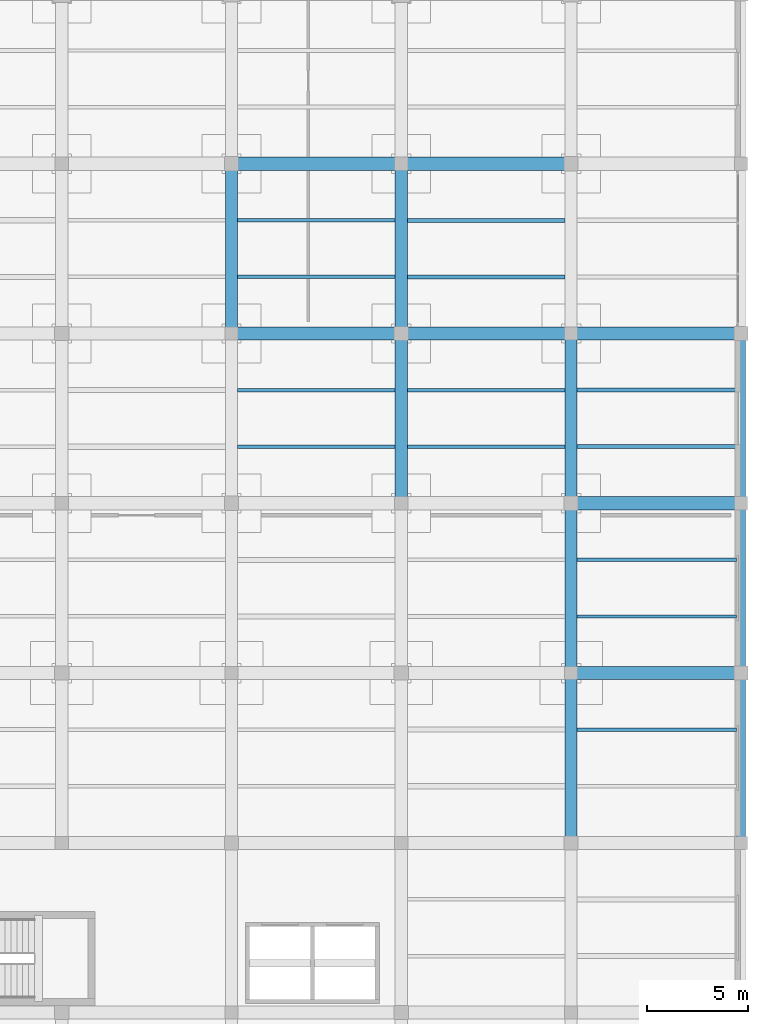
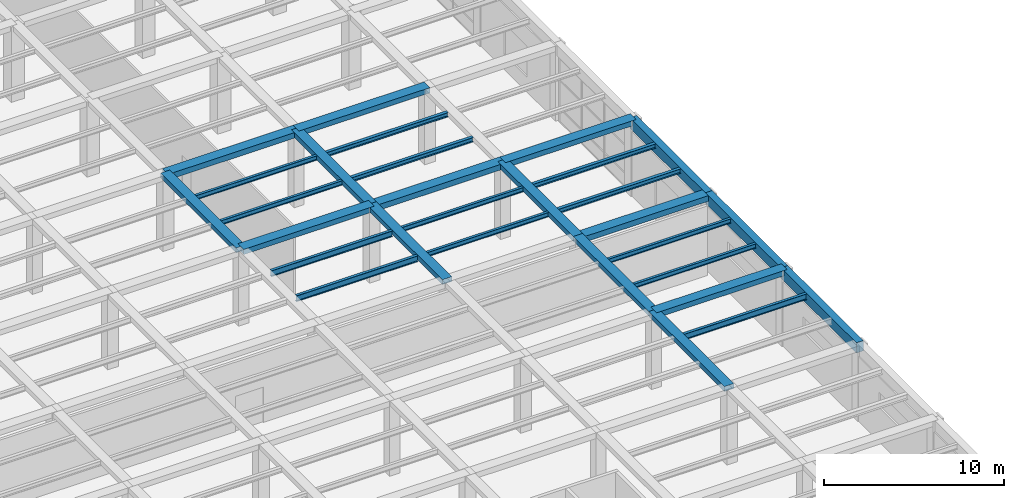
# One storey, part 31 of 65: 29 beams.
"""IFC4 building model written with IfcOpenShell, lengths in metres."""

from ifc_helpers import new_model, si_unit, direction, frame, origin, origin_2d, place, context, subcontext, project, spatial, rectangle, i_section, extrude, material, material_profile, profile_set, type_object, element, save


model = new_model("IFC4")

# Units and contexts
model_context = context("Model", 3, precision=1e-05, world=origin(), true_north=direction((0.0, 1.0)))
body_context = subcontext(model_context, "Body", "Model", "MODEL_VIEW")
ifc_project = project(units=[si_unit("LENGTHUNIT", "METRE"), si_unit("AREAUNIT", "SQUARE_METRE"), si_unit("VOLUMEUNIT", "CUBIC_METRE"), si_unit("PLANEANGLEUNIT", "RADIAN"), si_unit("MASSUNIT", "GRAM", prefix="KILO")], contexts=[model_context])

# Site, building, storey
site_placement = place(None, origin())
site = spatial("IfcSite", under=ifc_project, at=site_placement, CompositionType="ELEMENT")
building_placement = place(site_placement, origin())
building = spatial("IfcBuilding", under=site, at=building_placement, Name="Almacenes y Pasaje Nevantli", CompositionType="ELEMENT")
storey_placement = place(building_placement, frame((0.0, 0.0, 16.800048828125)))
storey = spatial("IfcBuildingStorey", under=building, at=storey_placement, Name="L04", CompositionType="ELEMENT", Elevation=16.800048828125)

# Beams
ifc_material_1 = material(Name="Concrete C35/45", Category="concrete")
ifc_material_profile_1 = material_profile(ifc_material_1, rectangle(XDim=0.449951171875, YDim=0.699951171875, at=origin_2d()), Name="RC-BM-450x700")
ifc_profile_set_1 = profile_set([ifc_material_profile_1], Name="Concrete C35/45")
beam_type_1 = type_object("IfcBeamType", Name="BM-RC-450x700", PredefinedType="SPANDREL", material=ifc_profile_set_1)
beam_1_placement = place(storey_placement, frame((168.0, 25.199951171875, 4.75), z_axis=(0.0, 1.0, 0.0), x_axis=(-1.0, 0.0, 0.0)))
element("IfcBeam", 1, at=beam_1_placement, inside=storey, type_object=beam_type_1, Name="L04 North-South Reinforced Concrete Beam #3218", PredefinedType="SPANDREL", context=body_context, shape_type="SweptSolid", body=[
    extrude(rectangle(XDim=0.449951171875, YDim=0.699951171875, at=origin_2d()), origin(), (0.0, 0.0, 1.0), 8.400146484375),
])
for number, where, z_axis, x_axis, name in (
    (2, (168.0, 33.60009765625, 4.75), (0.0, 1.0, 0.0), (-1.0, 0.0, 0.0), "L04 North-South Reinforced Concrete Beam #3219"),
    (3, (168.0, 42.0, 4.75), (0.0, 1.0, 0.0), (-1.0, 0.0, 0.0), "L04 North-South Reinforced Concrete Beam #3220"),
):
    element("IfcBeam", number, at=place(storey_placement, frame(where, z_axis=z_axis, x_axis=x_axis)), inside=storey, type_object=beam_type_1, Name=name, PredefinedType="SPANDREL", context=body_context, shape_type="SweptSolid", body=[
        extrude(rectangle(XDim=0.449951171875, YDim=0.699951171875, at=origin_2d()), origin(), (0.0, 0.0, 1.0), 8.39990234375),
    ])
ifc_material_2 = material(Name="Concrete C35/45", Category="concrete")
ifc_material_profile_2 = material_profile(ifc_material_2, rectangle(XDim=0.60009765625, YDim=0.320068359375, at=origin_2d()), Name="RC-BM-600x320")
ifc_profile_set_2 = profile_set([ifc_material_profile_2], Name="Concrete C35/45")
beam_type_2 = type_object("IfcBeamType", Name="BM-RC-600x320", PredefinedType="BEAM", material=ifc_profile_set_2)
beam_2_placement = place(storey_placement, frame((142.800048828125, 50.39990234375, 4.93994140625), z_axis=(0.0, 1.0, 0.0), x_axis=(-1.0, 0.0, 0.0)))
element("IfcBeam", 4, at=beam_2_placement, inside=storey, type_object=beam_type_2, Name="L04 North-South Reinforced Concrete Beam #3180", PredefinedType="BEAM", context=body_context, shape_type="SweptSolid", body=[
    extrude(rectangle(XDim=0.60009765625, YDim=0.320068359375, at=origin_2d()), origin(), (0.0, 0.0, 1.0), 8.400146484375),
])
for number, where, z_axis, x_axis, name in (
    (5, (151.199951171875, 42.0, 4.93994140625), (0.0, 1.0, 0.0), (-1.0, 0.0, 0.0), "L04 North-South Reinforced Concrete Beam #3193"),
    (6, (159.60009765625, 33.60009765625, 4.93994140625), (0.0, 1.0, 0.0), (-1.0, 0.0, 0.0), "L04 North-South Reinforced Concrete Beam #3205"),
):
    element("IfcBeam", number, at=place(storey_placement, frame(where, z_axis=z_axis, x_axis=x_axis)), inside=storey, type_object=beam_type_2, Name=name, PredefinedType="BEAM", context=body_context, shape_type="SweptSolid", body=[
        extrude(rectangle(XDim=0.60009765625, YDim=0.320068359375, at=origin_2d()), origin(), (0.0, 0.0, 1.0), 8.39990234375),
    ])
ifc_material_3 = material(Name="Concrete C35/45", Category="concrete")
ifc_material_profile_3 = material_profile(ifc_material_3, rectangle(XDim=0.60009765625, YDim=0.340087890625, at=origin_2d()), Name="RC-BM-600x340")
ifc_profile_set_3 = profile_set([ifc_material_profile_3], Name="Concrete C35/45")
beam_type_3 = type_object("IfcBeamType", Name="BM-RC-600x340", PredefinedType="BEAM", material=ifc_profile_set_3)
for number, where, z_axis, x_axis, name in (
    (7, (151.199951171875, 50.39990234375, 4.929931640625), (0.0, 1.0, 0.0), (-1.0, 0.0, 0.0), "L04 North-South Reinforced Concrete Beam #3194"),
    (8, (159.60009765625, 25.199951171875, 4.929931640625), (0.0, 1.0, 0.0), (-1.0, 0.0, 0.0), "L04 North-South Reinforced Concrete Beam #3204"),
):
    element("IfcBeam", number, at=place(storey_placement, frame(where, z_axis=z_axis, x_axis=x_axis)), inside=storey, type_object=beam_type_3, Name=name, PredefinedType="BEAM", context=body_context, shape_type="SweptSolid", body=[
        extrude(rectangle(XDim=0.60009765625, YDim=0.340087890625, at=origin_2d()), origin(), (0.0, 0.0, 1.0), 8.400146484375),
    ])
beam_3_placement = place(storey_placement, frame((159.60009765625, 42.0, 4.929931640625), z_axis=(0.0, 1.0, 0.0), x_axis=(-1.0, 0.0, 0.0)))
element("IfcBeam", 9, at=beam_3_placement, inside=storey, type_object=beam_type_3, Name="L04 North-South Reinforced Concrete Beam #3206", PredefinedType="BEAM", context=body_context, shape_type="SweptSolid", body=[
    extrude(rectangle(XDim=0.60009765625, YDim=0.340087890625, at=origin_2d()), origin(), (0.0, 0.0, 1.0), 8.39990234375),
])
ifc_material_4 = material(Name="Concrete C35/45", Category="concrete")
ifc_material_profile_4 = material_profile(ifc_material_4, rectangle(XDim=0.64990234375, YDim=0.35009765625, at=origin_2d()), Name="RC-BM-650x350")
ifc_profile_set_4 = profile_set([ifc_material_profile_4], Name="Concrete C35/45")
beam_type_4 = type_object("IfcBeamType", Name="BM-RC-650x350", PredefinedType="BEAM", material=ifc_profile_set_4)
for number, where, z_axis, x_axis, name in (
    (10, (159.60009765625, 33.60009765625, 4.925048828125), (1.0, 0.0, 0.0), (0.0, 1.0, 0.0), "L04 East-West Reinforced Concrete Beam #2828"),
    (11, (142.800048828125, 50.39990234375, 4.925048828125), (1.0, 0.0, 0.0), (0.0, 1.0, 0.0), "L04 East-West Reinforced Concrete Beam #2857"),
    (12, (159.60009765625, 50.39990234375, 4.925048828125), (1.0, 0.0, 0.0), (0.0, 1.0, 0.0), "L04 East-West Reinforced Concrete Beam #2859"),
):
    element("IfcBeam", number, at=place(storey_placement, frame(where, z_axis=z_axis, x_axis=x_axis)), inside=storey, type_object=beam_type_4, Name=name, PredefinedType="BEAM", context=body_context, shape_type="SweptSolid", body=[
        extrude(rectangle(XDim=0.64990234375, YDim=0.35009765625, at=origin_2d()), origin(), (0.0, 0.0, 1.0), 8.39990234375),
    ])
beam_4_placement = place(storey_placement, frame((151.199951171875, 58.800048828125, 4.925048828125), z_axis=(1.0, 0.0, 0.0), x_axis=(0.0, 1.0, 0.0)))
element("IfcBeam", 13, at=beam_4_placement, inside=storey, type_object=beam_type_4, Name="L04 East-West Reinforced Concrete Beam #2872", PredefinedType="BEAM", context=body_context, shape_type="SweptSolid", body=[
    extrude(rectangle(XDim=0.64990234375, YDim=0.35009765625, at=origin_2d()), origin(), (0.0, 0.0, 1.0), 8.400146484375),
])
ifc_material_5 = material(Name="Concrete C35/45", Category="concrete")
ifc_material_profile_5 = material_profile(ifc_material_5, rectangle(XDim=0.64990234375, YDim=0.3798828125, at=origin_2d()), Name="RC-BM-650x380")
ifc_profile_set_5 = profile_set([ifc_material_profile_5], Name="Concrete C35/45")
beam_type_5 = type_object("IfcBeamType", Name="BM-RC-650x380", PredefinedType="BEAM", material=ifc_profile_set_5)
beam_5_placement = place(storey_placement, frame((159.60009765625, 42.0, 4.909912109375), z_axis=(1.0, 0.0, 0.0), x_axis=(0.0, 1.0, 0.0)))
element("IfcBeam", 14, at=beam_5_placement, inside=storey, type_object=beam_type_5, Name="L04 East-West Reinforced Concrete Beam #2845", PredefinedType="BEAM", context=body_context, shape_type="SweptSolid", body=[
    extrude(rectangle(XDim=0.64990234375, YDim=0.3798828125, at=origin_2d()), origin(), (0.0, 0.0, 1.0), 8.39990234375),
])
beam_6_placement = place(storey_placement, frame((151.199951171875, 50.39990234375, 4.909912109375), z_axis=(1.0, 0.0, 0.0), x_axis=(0.0, 1.0, 0.0)))
element("IfcBeam", 15, at=beam_6_placement, inside=storey, type_object=beam_type_5, Name="L04 East-West Reinforced Concrete Beam #2858", PredefinedType="BEAM", context=body_context, shape_type="SweptSolid", body=[
    extrude(rectangle(XDim=0.64990234375, YDim=0.3798828125, at=origin_2d()), origin(), (0.0, 0.0, 1.0), 8.400146484375),
])
beam_7_placement = place(storey_placement, frame((142.800048828125, 58.800048828125, 4.909912109375), z_axis=(1.0, 0.0, 0.0), x_axis=(0.0, 1.0, 0.0)))
element("IfcBeam", 16, at=beam_7_placement, inside=storey, type_object=beam_type_5, Name="L04 East-West Reinforced Concrete Beam #2871", PredefinedType="BEAM", context=body_context, shape_type="SweptSolid", body=[
    extrude(rectangle(XDim=0.64990234375, YDim=0.3798828125, at=origin_2d()), origin(), (0.0, 0.0, 1.0), 8.39990234375),
])
ifc_material_6 = material(Name="Steel ASTM A992", Category="steel")
ifc_material_profile_6 = material_profile(ifc_material_6, i_section(OverallWidth=0.1650390625, OverallDepth=0.306884765625, WebThickness=0.006591796875, FlangeThickness=0.01025390625, at=origin_2d()), Name="IR 305x44.6")
ifc_profile_set_6 = profile_set([ifc_material_profile_6], Name="Steel ASTM A992")
beam_type_6 = type_object("IfcBeamType", Name="BM-STL-IR-305x44p6", PredefinedType="JOIST", material=ifc_profile_set_6)
for number, where, z_axis, x_axis, name in (
    (17, (143.10009765625, 53.199951171875, 4.9384765625), (1.0, 0.0, 0.0), (0.0, 1.0, 0.0), "L04 Secondary Steel Floor Joist #1285"),
    (18, (143.10009765625, 56.0, 4.9384765625), (1.0, 0.0, 0.0), (0.0, 1.0, 0.0), "L04 Secondary Steel Floor Joist #1286"),
):
    element("IfcBeam", number, at=place(storey_placement, frame(where, z_axis=z_axis, x_axis=x_axis)), inside=storey, type_object=beam_type_6, Name=name, PredefinedType="JOIST", context=body_context, shape_type="SweptSolid", body=[
        extrude(i_section(OverallWidth=0.1650390625, OverallDepth=0.306884765625, WebThickness=0.006591796875, FlangeThickness=0.01025390625, at=origin_2d()), origin(), (0.0, 0.0, 1.0), 7.7998046875),
    ])
for number, where, z_axis, x_axis, name in (
    (19, (151.5, 44.800048828125, 4.9384765625), (1.0, 0.0, 0.0), (0.0, 1.0, 0.0), "L04 Secondary Steel Floor Joist #1309"),
    (20, (151.5, 47.60009765625, 4.9384765625), (1.0, 0.0, 0.0), (0.0, 1.0, 0.0), "L04 Secondary Steel Floor Joist #1310"),
):
    element("IfcBeam", number, at=place(storey_placement, frame(where, z_axis=z_axis, x_axis=x_axis)), inside=storey, type_object=beam_type_6, Name=name, PredefinedType="JOIST", context=body_context, shape_type="SweptSolid", body=[
        extrude(i_section(OverallWidth=0.1650390625, OverallDepth=0.306884765625, WebThickness=0.006591796875, FlangeThickness=0.01025390625, at=origin_2d()), origin(), (0.0, 0.0, 1.0), 7.800048828125),
    ])
for number, where, z_axis, x_axis, name in (
    (21, (159.89990234375, 36.39990234375, 4.9384765625), (1.0, 0.0, 0.0), (0.0, 1.0, 0.0), "L04 Secondary Steel Floor Joist #1333"),
    (22, (159.89990234375, 39.199951171875, 4.9384765625), (1.0, 0.0, 0.0), (0.0, 1.0, 0.0), "L04 Secondary Steel Floor Joist #1334"),
):
    element("IfcBeam", number, at=place(storey_placement, frame(where, z_axis=z_axis, x_axis=x_axis)), inside=storey, type_object=beam_type_6, Name=name, PredefinedType="JOIST", context=body_context, shape_type="SweptSolid", body=[
        extrude(i_section(OverallWidth=0.1650390625, OverallDepth=0.306884765625, WebThickness=0.006591796875, FlangeThickness=0.01025390625, at=origin_2d()), origin(), (0.0, 0.0, 1.0), 7.875),
    ])
ifc_material_7 = material(Name="Steel ASTM A992", Category="steel")
ifc_material_profile_7 = material_profile(ifc_material_7, i_section(OverallWidth=0.202880859375, OverallDepth=0.304931640625, WebThickness=0.007568359375, FlangeThickness=0.01318359375, at=origin_2d()), Name="IR 305x59.5")
ifc_profile_set_7 = profile_set([ifc_material_profile_7], Name="Steel ASTM A992")
beam_type_7 = type_object("IfcBeamType", Name="BM-STL-IR-305x59p5", PredefinedType="JOIST", material=ifc_profile_set_7)
for number, where, z_axis, x_axis, name in (
    (23, (151.5, 53.199951171875, 4.939453125), (1.0, 0.0, 0.0), (0.0, 1.0, 0.0), "L04 Secondary Steel Floor Joist #1311"),
    (24, (151.5, 56.0, 4.939453125), (1.0, 0.0, 0.0), (0.0, 1.0, 0.0), "L04 Secondary Steel Floor Joist #1312"),
):
    element("IfcBeam", number, at=place(storey_placement, frame(where, z_axis=z_axis, x_axis=x_axis)), inside=storey, type_object=beam_type_7, Name=name, PredefinedType="JOIST", context=body_context, shape_type="SweptSolid", body=[
        extrude(i_section(OverallWidth=0.202880859375, OverallDepth=0.304931640625, WebThickness=0.007568359375, FlangeThickness=0.01318359375, at=origin_2d()), origin(), (0.0, 0.0, 1.0), 7.800048828125),
    ])
for number, where, z_axis, x_axis, name in (
    (25, (159.89990234375, 44.800048828125, 4.939453125), (1.0, 0.0, 0.0), (0.0, 1.0, 0.0), "L04 Secondary Steel Floor Joist #1335"),
    (26, (159.89990234375, 47.60009765625, 4.939453125), (1.0, 0.0, 0.0), (0.0, 1.0, 0.0), "L04 Secondary Steel Floor Joist #1336"),
):
    element("IfcBeam", number, at=place(storey_placement, frame(where, z_axis=z_axis, x_axis=x_axis)), inside=storey, type_object=beam_type_7, Name=name, PredefinedType="JOIST", context=body_context, shape_type="SweptSolid", body=[
        extrude(i_section(OverallWidth=0.202880859375, OverallDepth=0.304931640625, WebThickness=0.007568359375, FlangeThickness=0.01318359375, at=origin_2d()), origin(), (0.0, 0.0, 1.0), 7.875),
    ])
ifc_material_8 = material(Name="Steel ASTM A992", Category="steel")
ifc_material_profile_8 = material_profile(ifc_material_8, i_section(OverallWidth=0.178955078125, OverallDepth=0.406005859375, WebThickness=0.0087890625, FlangeThickness=0.014404296875, at=origin_2d()), Name="IR 406x67.0")
ifc_profile_set_8 = profile_set([ifc_material_profile_8], Name="Steel ASTM A992")
beam_type_8 = type_object("IfcBeamType", Name="BM-STL-IR-406x67p0", PredefinedType="JOIST", material=ifc_profile_set_8)
for number, where, z_axis, x_axis, name in (
    (27, (143.10009765625, 44.800048828125, 4.888916015625), (1.0, 0.0, 0.0), (0.0, 1.0, 0.0), "L04 Secondary Steel Floor Joist #1283"),
    (28, (143.10009765625, 47.60009765625, 4.888916015625), (1.0, 0.0, 0.0), (0.0, 1.0, 0.0), "L04 Secondary Steel Floor Joist #1284"),
):
    element("IfcBeam", number, at=place(storey_placement, frame(where, z_axis=z_axis, x_axis=x_axis)), inside=storey, type_object=beam_type_8, Name=name, PredefinedType="JOIST", context=body_context, shape_type="SweptSolid", body=[
        extrude(i_section(OverallWidth=0.178955078125, OverallDepth=0.406005859375, WebThickness=0.0087890625, FlangeThickness=0.014404296875, at=origin_2d()), origin(), (0.0, 0.0, 1.0), 7.7998046875),
    ])
beam_8_placement = place(storey_placement, frame((159.89990234375, 30.800048828125, 4.888916015625), z_axis=(1.0, 0.0, 0.0), x_axis=(0.0, 1.0, 0.0)))
element("IfcBeam", 29, at=beam_8_placement, inside=storey, type_object=beam_type_8, Name="L04 Secondary Steel Floor Joist #1332", PredefinedType="JOIST", context=body_context, shape_type="SweptSolid", body=[
    extrude(i_section(OverallWidth=0.178955078125, OverallDepth=0.406005859375, WebThickness=0.0087890625, FlangeThickness=0.014404296875, at=origin_2d()), origin(), (0.0, 0.0, 1.0), 7.875),
])

save(model, "model.ifc")
